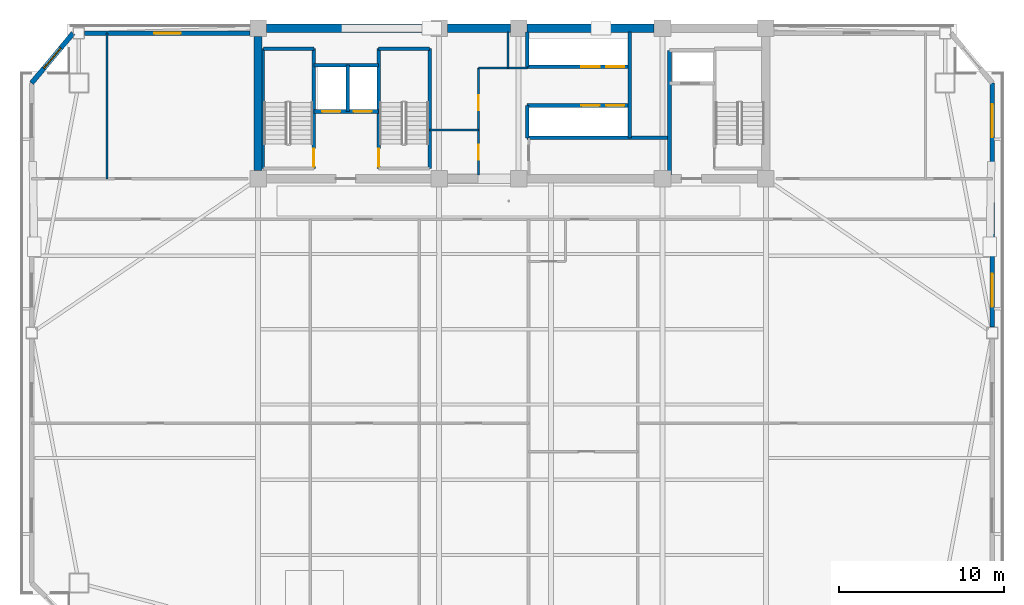
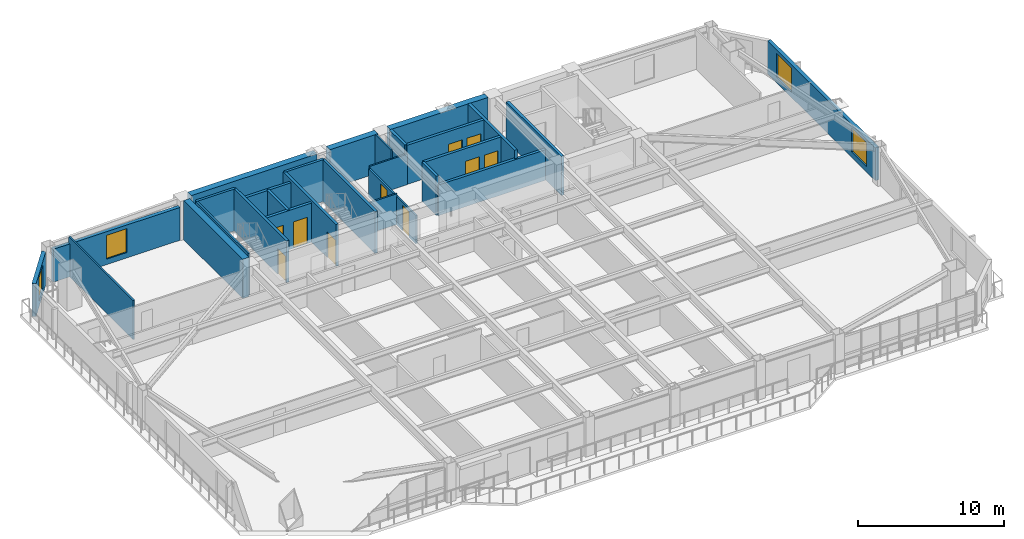
# One storey, part 9 of 15: 28 walls, 10 doors, 4 windows, 14 openings.
"""IFC4 building model written with IfcOpenShell, lengths in metres."""

from ifc_helpers import new_model, si_unit, direction, frame, frame_2d, origin, place, context, subcontext, project, spatial, rectangle, extrude, source, transform, mapped, material, layer, layer_set, type_object, element, fill, save


model = new_model("IFC4")

# Units and contexts
model_context = context("Model", 3, precision=1e-05, world=origin(), true_north=direction((0.0, 1.0)))
body_context = subcontext(model_context, "Body", "Model", "MODEL_VIEW")
ifc_project = project(units=[si_unit("LENGTHUNIT", "METRE"), si_unit("AREAUNIT", "SQUARE_METRE"), si_unit("VOLUMEUNIT", "CUBIC_METRE"), si_unit("PLANEANGLEUNIT", "RADIAN"), si_unit("MASSUNIT", "GRAM", prefix="KILO")], contexts=[model_context])

# Site, building, storey
site_placement = place(None, origin())
site = spatial("IfcSite", under=ifc_project, at=site_placement, CompositionType="ELEMENT")
building_placement = place(site_placement, origin())
building = spatial("IfcBuilding", under=site, at=building_placement, Name="Giltprow Tower", CompositionType="ELEMENT")
storey_placement = place(building_placement, frame((0.0, 0.0, 184.199951171875)))
storey = spatial("IfcBuildingStorey", under=building, at=storey_placement, Name="L46", CompositionType="ELEMENT", Elevation=184.199951171875)

# Wall, opening, window
ifc_material_1 = material(Name="Precast concrete C40", Category="concrete")
ifc_layer_1 = layer(ifc_material_1, 0.300048828125, Name="Precast concrete C40")
ifc_layer_set_1 = layer_set([ifc_layer_1], Name="Precast concrete C40")
wall_type_1 = type_object("IfcWallType", Name="EW-NOTCH-CHAMFER-300", PredefinedType="SOLIDWALL", material=ifc_layer_set_1)
wall_1_placement = place(storey_placement, frame((8.6650390625, 46.25, 0.0), z_axis=(0.0, 0.0, 1.0), x_axis=(-0.640459985381, -0.767991541051, 0.0)))
wall_1 = element("IfcWall", 1, at=wall_1_placement, inside=storey, type_object=wall_type_1, Name="L46 Corner Notch Wall NW", PredefinedType="SOLIDWALL", context=body_context, shape_type="SweptSolid", body=[
    extrude(rectangle(XDim=3.920654296875, YDim=0.300048828125, at=frame_2d((1.96044921875, 0.0))), origin(), (0.0, 0.0, 1.0), 2.75),
])
opening_1_placement = place(wall_1_placement, frame((1.159912109375, 0.0, 0.449951171875)))
opening_1 = element("IfcOpeningElement", 2, at=opening_1_placement, cuts=wall_1, Name="Opening WN17", PredefinedType="OPENING", context=body_context, shape_type="SweptSolid", body=[
    extrude(rectangle(XDim=1.60009765625, YDim=2.0, at=frame_2d((0.800048828125, 1.0))), frame((0.0, 0.159912109375, 0.0), z_axis=(0.0, -1.0, 0.0), x_axis=(1.0, 0.0, 0.0)), (0.0, 0.0, 1.0), 0.320068359375),
])
ifc_material_2 = material(Name="Insulated glass", Category="glass")
window_type_1 = type_object("IfcWindowType", Name="WN-COR-1600x2000", PartitioningType="SINGLE_PANEL", PredefinedType="WINDOW", material=ifc_material_2)
shared_shape_1 = source(origin(), body_context, "Body", "SweptSolid", [
    extrude(rectangle(XDim=1.60009765625, YDim=2.0, at=frame_2d((0.800048828125, 1.0))), frame((0.0, 0.030029296875, 0.0), z_axis=(0.0, -1.0, 0.0), x_axis=(1.0, 0.0, 0.0)), (0.0, 0.0, 1.0), 0.06005859375),
])
window_1_placement = place(opening_1_placement, origin())
window_1 = element("IfcWindow", 3, at=window_1_placement, inside=storey, type_object=window_type_1, Name="L46 Corner Notch Window NW", OverallHeight=2.0, OverallWidth=1.60009765625, PartitioningType="SINGLE_PANEL", PredefinedType="WINDOW", context=body_context, shape_type="MappedRepresentation", body=[
    mapped(shared_shape_1, transform((0.0, 0.0, 0.0), x_axis=(1.0, 0.0, 0.0), y_axis=(0.0, 1.0, 0.0), z_axis=(0.0, 0.0, 1.0), scale=1.0)),
])
fill(opening_1, window_1)

# Wall, openings, windows
ifc_layer_2 = layer(ifc_material_1, 0.280029296875, Name="Precast concrete C40")
ifc_layer_set_2 = layer_set([ifc_layer_2], Name="Precast concrete C40")
wall_type_2 = type_object("IfcWallType", Name="EW-TOW-BRONZE-280", PredefinedType="SOLIDWALL", material=ifc_layer_set_2)
wall_2_placement = place(storey_placement, frame((64.2470703125, 28.47705078125, 0.0), z_axis=(0.0, 0.0, 1.0), x_axis=(0.0, 1.0, 0.0)))
wall_2 = element("IfcWall", 4, at=wall_2_placement, inside=storey, type_object=wall_type_2, Name="L46 E Wing Masonry Wall 2", PredefinedType="SOLIDWALL", context=body_context, shape_type="SweptSolid", body=[
    extrude(rectangle(XDim=14.761962890625, YDim=0.280029296875, at=frame_2d((7.380859375, 0.0))), origin(), (0.0, 0.0, 1.0), 2.75),
])
opening_2_placement = place(wall_2_placement, frame((1.23193359375, 0.0, 0.449951171875)))
opening_2 = element("IfcOpeningElement", 5, at=opening_2_placement, cuts=wall_2, Name="Opening WN21", PredefinedType="OPENING", context=body_context, shape_type="SweptSolid", body=[
    extrude(rectangle(XDim=2.0, YDim=2.0, at=frame_2d((1.0, 1.0))), frame((0.0, 0.14990234375, 0.0), z_axis=(0.0, -1.0, 0.0), x_axis=(1.0, 0.0, 0.0)), (0.0, 0.0, 1.0), 0.300048828125),
])
opening_3_placement = place(wall_2_placement, frame((11.487060546875, 0.0, 0.449951171875)))
opening_3 = element("IfcOpeningElement", 6, at=opening_3_placement, cuts=wall_2, Name="Opening WN21", PredefinedType="OPENING", context=body_context, shape_type="SweptSolid", body=[
    extrude(rectangle(XDim=2.0, YDim=2.0, at=frame_2d((1.0, 1.0))), frame((0.0, 0.14990234375, 0.0), z_axis=(0.0, -1.0, 0.0), x_axis=(1.0, 0.0, 0.0)), (0.0, 0.0, 1.0), 0.300048828125),
])
window_type_2 = type_object("IfcWindowType", Name="WN-HTL-2000x2000", PartitioningType="DOUBLE_PANEL_VERTICAL", PredefinedType="WINDOW", material=ifc_material_2)
shared_shape_2 = source(origin(), body_context, "Body", "SweptSolid", [
    extrude(rectangle(XDim=2.0, YDim=2.0, at=frame_2d((1.0, 1.0))), frame((0.0, 0.030029296875, 0.0), z_axis=(0.0, -1.0, 0.0), x_axis=(1.0, 0.0, 0.0)), (0.0, 0.0, 1.0), 0.06005859375),
])
window_2_placement = place(opening_2_placement, origin())
window_2 = element("IfcWindow", 7, at=window_2_placement, inside=storey, type_object=window_type_2, Name="L46 E Wing Window 2-1", OverallHeight=2.0, OverallWidth=2.0, PartitioningType="SINGLE_PANEL", PredefinedType="WINDOW", context=body_context, shape_type="MappedRepresentation", body=[
    mapped(shared_shape_2, transform((0.0, 0.0, 0.0), x_axis=(1.0, 0.0, 0.0), y_axis=(0.0, 1.0, 0.0), z_axis=(0.0, 0.0, 1.0), scale=1.0)),
])
fill(opening_2, window_2)
window_3_placement = place(opening_3_placement, origin())
window_3 = element("IfcWindow", 8, at=window_3_placement, inside=storey, type_object=window_type_2, Name="L46 E Wing Window 2-2", OverallHeight=2.0, OverallWidth=2.0, PartitioningType="SINGLE_PANEL", PredefinedType="WINDOW", context=body_context, shape_type="MappedRepresentation", body=[
    mapped(shared_shape_2, transform((0.0, 0.0, 0.0), x_axis=(1.0, 0.0, 0.0), y_axis=(0.0, 1.0, 0.0), z_axis=(0.0, 0.0, 1.0), scale=1.0)),
])
fill(opening_3, window_3)

# Wall, opening, window
wall_3_placement = place(storey_placement, frame((9.364990234375, 46.25, 0.0), z_axis=(0.0, 0.0, 1.0), x_axis=(1.0, 0.0, 0.0)))
wall_3 = element("IfcWall", 9, at=wall_3_placement, inside=storey, type_object=wall_type_2, Name="L46 North-West Wing Wall", PredefinedType="SOLIDWALL", context=body_context, shape_type="SweptSolid", body=[
    extrude(rectangle(XDim=9.985107421875, YDim=0.280029296875, at=frame_2d((4.99267578125, 0.0))), origin(), (0.0, 0.0, 1.0), 2.75),
])
opening_4_placement = place(wall_3_placement, frame((4.193115234375, 0.0, 0.449951171875)))
opening_4 = element("IfcOpeningElement", 10, at=opening_4_placement, cuts=wall_3, Name="Opening WN17", PredefinedType="OPENING", context=body_context, shape_type="SweptSolid", body=[
    extrude(rectangle(XDim=1.60009765625, YDim=2.0, at=frame_2d((0.800048828125, 1.0))), frame((0.0, 0.14990234375, 0.0), z_axis=(0.0, -1.0, 0.0), x_axis=(1.0, 0.0, 0.0)), (0.0, 0.0, 1.0), 0.300048828125),
])
window_4_placement = place(opening_4_placement, origin())
window_4 = element("IfcWindow", 11, at=window_4_placement, inside=storey, type_object=window_type_1, Name="L46 North-West Window", OverallHeight=2.0, OverallWidth=1.60009765625, PartitioningType="SINGLE_PANEL", PredefinedType="WINDOW", context=body_context, shape_type="MappedRepresentation", body=[
    mapped(shared_shape_1, transform((0.0, 0.0, 0.0), x_axis=(1.0, 0.0, 0.0), y_axis=(0.0, 1.0, 0.0), z_axis=(0.0, 0.0, 1.0), scale=1.0)),
])
fill(opening_4, window_4)

# Wall, openings, doors
ifc_material_3 = material(Name="Concrete C40", Category="concrete")
ifc_layer_3 = layer(ifc_material_3, 0.219970703125, Name="Concrete C40")
ifc_layer_set_3 = layer_set([ifc_layer_3], Name="Concrete C40")
wall_type_3 = type_object("IfcWallType", Name="IW-SHAFT-220", PredefinedType="SOLIDWALL", material=ifc_layer_set_3)
wall_4_placement = place(storey_placement, frame((23.219970703125, 41.52001953125, 0.0), z_axis=(0.0, 0.0, 1.0), x_axis=(1.0, 0.0, 0.0)))
wall_4 = element("IfcWall", 12, at=wall_4_placement, inside=storey, type_object=wall_type_3, Name="L46 FFL1 and Service Lift Front Wall", PredefinedType="SOLIDWALL", context=body_context, shape_type="SweptSolid", body=[
    extrude(rectangle(XDim=3.919921875, YDim=0.219970703125, at=frame_2d((1.9599609375, 0.0))), origin(), (0.0, 0.0, 1.0), 3.27001953125),
])
opening_5_placement = place(wall_4_placement, frame((0.5, 0.0, 0.0)))
opening_5 = element("IfcOpeningElement", 13, at=opening_5_placement, cuts=wall_4, Name="Opening LD-11", PredefinedType="OPENING", context=body_context, shape_type="SweptSolid", body=[
    extrude(rectangle(XDim=1.10009765625, YDim=2.199951171875, at=frame_2d((0.550048828125, 1.10009765625))), frame((0.0, 0.119873046875, 0.0), z_axis=(0.0, -1.0, 0.0), x_axis=(1.0, 0.0, 0.0)), (0.0, 0.0, 1.0), 0.239990234375),
])
opening_6_placement = place(wall_4_placement, frame((2.39990234375, 0.0, 0.0)))
opening_6 = element("IfcOpeningElement", 14, at=opening_6_placement, cuts=wall_4, Name="Opening LD-11", PredefinedType="OPENING", context=body_context, shape_type="SweptSolid", body=[
    extrude(rectangle(XDim=1.10009765625, YDim=2.199951171875, at=frame_2d((0.550048828125, 1.10009765625))), frame((0.0, 0.119873046875, 0.0), z_axis=(0.0, -1.0, 0.0), x_axis=(1.0, 0.0, 0.0)), (0.0, 0.0, 1.0), 0.239990234375),
])
ifc_material_4 = material(Name="Stainless steel", Category="steel")
door_type_1 = type_object("IfcDoorType", Name="DR-LIFT-LD1100", OperationType="SLIDING_TO_LEFT", PredefinedType="DOOR", material=ifc_material_4)
shared_shape_3 = source(origin(), body_context, "Body", "SweptSolid", [
    extrude(rectangle(XDim=1.10009765625, YDim=2.199951171875, at=frame_2d((0.550048828125, 1.10009765625))), frame((0.0, 0.02490234375, 0.0), z_axis=(0.0, -1.0, 0.0), x_axis=(1.0, 0.0, 0.0)), (0.0, 0.0, 1.0), 0.050048828125),
])
door_1_placement = place(opening_5_placement, origin())
door_1 = element("IfcDoor", 15, at=door_1_placement, inside=storey, type_object=door_type_1, Name="L46 FFL1 Landing Door", OperationType="SLIDING_TO_LEFT", OverallHeight=2.199951171875, OverallWidth=1.10009765625, PredefinedType="DOOR", context=body_context, shape_type="MappedRepresentation", body=[
    mapped(shared_shape_3, transform((0.0, 0.0, 0.0), x_axis=(1.0, 0.0, 0.0), y_axis=(0.0, 1.0, 0.0), z_axis=(0.0, 0.0, 1.0), scale=1.0)),
])
fill(opening_5, door_1)
door_2_placement = place(opening_6_placement, origin())
door_2 = element("IfcDoor", 16, at=door_2_placement, inside=storey, type_object=door_type_1, Name="L46 SVL1 Landing Door", OperationType="SLIDING_TO_LEFT", OverallHeight=2.199951171875, OverallWidth=1.10009765625, PredefinedType="DOOR", context=body_context, shape_type="MappedRepresentation", body=[
    mapped(shared_shape_3, transform((0.0, 0.0, 0.0), x_axis=(1.0, 0.0, 0.0), y_axis=(0.0, 1.0, 0.0), z_axis=(0.0, 0.0, 1.0), scale=1.0)),
])
fill(opening_6, door_2)

# Walls
wall_5_placement = place(storey_placement, frame((25.260009765625, 41.52001953125, 0.0), z_axis=(0.0, 0.0, 1.0), x_axis=(0.0, 1.0, 0.0)))
element("IfcWall", 17, at=wall_5_placement, inside=storey, type_object=wall_type_3, Name="L46 FFL1-SVL1 Shaft Divider", PredefinedType="SOLIDWALL", context=body_context, shape_type="SweptSolid", body=[
    extrude(rectangle(XDim=2.800048828125, YDim=0.219970703125, at=frame_2d((1.39990234375, 0.0))), origin(), (0.0, 0.0, 1.0), 3.27001953125),
])
wall_6_placement = place(storey_placement, frame((23.219970703125, 44.320068359375, 0.0), z_axis=(0.0, 0.0, 1.0), x_axis=(1.0, 0.0, 0.0)))
element("IfcWall", 18, at=wall_6_placement, inside=storey, type_object=wall_type_3, Name="L46 FFL1-SVL1 Back Shaft Wall", PredefinedType="SOLIDWALL", context=body_context, shape_type="SweptSolid", body=[
    extrude(rectangle(XDim=3.919921875, YDim=0.219970703125, at=frame_2d((1.9599609375, 0.0))), origin(), (0.0, 0.0, 1.0), 3.27001953125),
])
wall_7_placement = place(storey_placement, frame((44.719970703125, 37.679931640625, 0.0), z_axis=(0.0, 0.0, 1.0), x_axis=(0.0, 1.0, 0.0)))
element("IfcWall", 19, at=wall_7_placement, inside=storey, type_object=wall_type_3, Name="L46 East Firefighting Lobby West Wall", PredefinedType="SOLIDWALL", context=body_context, shape_type="SweptSolid", body=[
    extrude(rectangle(XDim=7.5400390625, YDim=0.219970703125, at=frame_2d((3.77001953125, 0.0))), origin(), (0.0, 0.0, 1.0), 3.27001953125),
])

# Wall, openings, doors
wall_8_placement = place(storey_placement, frame((36.1201171875, 44.219970703125, 0.0), z_axis=(0.0, 0.0, 1.0), x_axis=(1.0, 0.0, 0.0)))
wall_8 = element("IfcWall", 20, at=wall_8_placement, inside=storey, type_object=wall_type_3, Name="L46 Mid-Rise Lift Shaft Front Wall N", PredefinedType="SOLIDWALL", context=body_context, shape_type="SweptSolid", body=[
    extrude(rectangle(XDim=6.199951171875, YDim=0.219970703125, at=frame_2d((3.10009765625, 0.0))), origin(), (0.0, 0.0, 1.0), 3.27001953125),
])
opening_7_placement = place(wall_8_placement, frame((3.280029296875, 0.0, 0.0)))
opening_7 = element("IfcOpeningElement", 21, at=opening_7_placement, cuts=wall_8, Name="Opening LD-11", PredefinedType="OPENING", context=body_context, shape_type="SweptSolid", body=[
    extrude(rectangle(XDim=1.10009765625, YDim=2.199951171875, at=frame_2d((0.550048828125, 1.10009765625))), frame((0.0, 0.119873046875, 0.0), z_axis=(0.0, -1.0, 0.0), x_axis=(1.0, 0.0, 0.0)), (0.0, 0.0, 1.0), 0.239990234375),
])
opening_8_placement = place(wall_8_placement, frame((4.77001953125, 0.0, 0.0)))
opening_8 = element("IfcOpeningElement", 22, at=opening_8_placement, cuts=wall_8, Name="Opening LD-11", PredefinedType="OPENING", context=body_context, shape_type="SweptSolid", body=[
    extrude(rectangle(XDim=1.10009765625, YDim=2.199951171875, at=frame_2d((0.550048828125, 1.10009765625))), frame((0.0, 0.119873046875, 0.0), z_axis=(0.0, -1.0, 0.0), x_axis=(1.0, 0.0, 0.0)), (0.0, 0.0, 1.0), 0.239990234375),
])
door_3_placement = place(opening_7_placement, origin())
door_3 = element("IfcDoor", 23, at=door_3_placement, inside=storey, type_object=door_type_1, Name="L46 PL-M1 Landing Door", OperationType="SLIDING_TO_LEFT", OverallHeight=2.199951171875, OverallWidth=1.10009765625, PredefinedType="DOOR", context=body_context, shape_type="MappedRepresentation", body=[
    mapped(shared_shape_3, transform((0.0, 0.0, 0.0), x_axis=(1.0, 0.0, 0.0), y_axis=(0.0, 1.0, 0.0), z_axis=(0.0, 0.0, 1.0), scale=1.0)),
])
fill(opening_7, door_3)
door_4_placement = place(opening_8_placement, origin())
door_4 = element("IfcDoor", 24, at=door_4_placement, inside=storey, type_object=door_type_1, Name="L46 PL-M2 Landing Door", OperationType="SLIDING_TO_LEFT", OverallHeight=2.199951171875, OverallWidth=1.10009765625, PredefinedType="DOOR", context=body_context, shape_type="MappedRepresentation", body=[
    mapped(shared_shape_3, transform((0.0, 0.0, 0.0), x_axis=(1.0, 0.0, 0.0), y_axis=(0.0, 1.0, 0.0), z_axis=(0.0, 0.0, 1.0), scale=1.0)),
])
fill(opening_8, door_4)

wall_9_placement = place(storey_placement, frame((36.1201171875, 41.8798828125, 0.0), z_axis=(0.0, 0.0, 1.0), x_axis=(1.0, 0.0, 0.0)))
wall_9 = element("IfcWall", 25, at=wall_9_placement, inside=storey, type_object=wall_type_3, Name="L46 Mid-Rise Lift Shaft Front Wall S", PredefinedType="SOLIDWALL", context=body_context, shape_type="SweptSolid", body=[
    extrude(rectangle(XDim=6.199951171875, YDim=0.219970703125, at=frame_2d((3.10009765625, 0.0))), origin(), (0.0, 0.0, 1.0), 3.27001953125),
])
opening_9_placement = place(wall_9_placement, frame((3.280029296875, 0.0, 0.0)))
opening_9 = element("IfcOpeningElement", 26, at=opening_9_placement, cuts=wall_9, Name="Opening LD-11", PredefinedType="OPENING", context=body_context, shape_type="SweptSolid", body=[
    extrude(rectangle(XDim=1.10009765625, YDim=2.199951171875, at=frame_2d((0.550048828125, 1.10009765625))), frame((0.0, 0.119873046875, 0.0), z_axis=(0.0, -1.0, 0.0), x_axis=(1.0, 0.0, 0.0)), (0.0, 0.0, 1.0), 0.239990234375),
])
opening_10_placement = place(wall_9_placement, frame((4.77001953125, 0.0, 0.0)))
opening_10 = element("IfcOpeningElement", 27, at=opening_10_placement, cuts=wall_9, Name="Opening LD-11", PredefinedType="OPENING", context=body_context, shape_type="SweptSolid", body=[
    extrude(rectangle(XDim=1.10009765625, YDim=2.199951171875, at=frame_2d((0.550048828125, 1.10009765625))), frame((0.0, 0.119873046875, 0.0), z_axis=(0.0, -1.0, 0.0), x_axis=(1.0, 0.0, 0.0)), (0.0, 0.0, 1.0), 0.239990234375),
])
door_5_placement = place(opening_9_placement, origin())
door_5 = element("IfcDoor", 28, at=door_5_placement, inside=storey, type_object=door_type_1, Name="L46 PL-M3 Landing Door", OperationType="SLIDING_TO_LEFT", OverallHeight=2.199951171875, OverallWidth=1.10009765625, PredefinedType="DOOR", context=body_context, shape_type="MappedRepresentation", body=[
    mapped(shared_shape_3, transform((0.0, 0.0, 0.0), x_axis=(1.0, 0.0, 0.0), y_axis=(0.0, 1.0, 0.0), z_axis=(0.0, 0.0, 1.0), scale=1.0)),
])
fill(opening_9, door_5)
door_6_placement = place(opening_10_placement, origin())
door_6 = element("IfcDoor", 29, at=door_6_placement, inside=storey, type_object=door_type_1, Name="L46 PL-M4 Landing Door", OperationType="SLIDING_TO_LEFT", OverallHeight=2.199951171875, OverallWidth=1.10009765625, PredefinedType="DOOR", context=body_context, shape_type="MappedRepresentation", body=[
    mapped(shared_shape_3, transform((0.0, 0.0, 0.0), x_axis=(1.0, 0.0, 0.0), y_axis=(0.0, 1.0, 0.0), z_axis=(0.0, 0.0, 1.0), scale=1.0)),
])
fill(opening_10, door_6)

# Walls
wall_10_placement = place(storey_placement, frame((36.1201171875, 39.919921875, 0.0), z_axis=(0.0, 0.0, 1.0), x_axis=(1.0, 0.0, 0.0)))
element("IfcWall", 30, at=wall_10_placement, inside=storey, type_object=wall_type_3, Name="L46 Mid-Rise South Lift Back Wall", PredefinedType="SOLIDWALL", context=body_context, shape_type="SweptSolid", body=[
    extrude(rectangle(XDim=8.599853515625, YDim=0.219970703125, at=frame_2d((4.2998046875, 0.0))), origin(), (0.0, 0.0, 1.0), 2.554931640625),
])
wall_11_placement = place(storey_placement, frame((42.320068359375, 39.919921875, 0.0), z_axis=(0.0, 0.0, 1.0), x_axis=(0.0, 1.0, 0.0)))
element("IfcWall", 31, at=wall_11_placement, inside=storey, type_object=wall_type_3, Name="L46 Mid-Rise Lift Bank East Closure", PredefinedType="SOLIDWALL", context=body_context, shape_type="SweptSolid", body=[
    extrude(rectangle(XDim=6.400146484375, YDim=0.219970703125, at=frame_2d((3.2001953125, 0.0))), origin(), (0.0, 0.0, 1.0), 3.27001953125),
])
wall_12_placement = place(storey_placement, frame((36.1201171875, 39.919921875, 0.0), z_axis=(0.0, 0.0, 1.0), x_axis=(0.0, 1.0, 0.0)))
element("IfcWall", 32, at=wall_12_placement, inside=storey, type_object=wall_type_3, Name="L46 Mid-Rise South Lift West Closure", PredefinedType="SOLIDWALL", context=body_context, shape_type="SweptSolid", body=[
    extrude(rectangle(XDim=1.9599609375, YDim=0.219970703125, at=frame_2d((0.97998046875, 0.0))), origin(), (0.0, 0.0, 1.0), 3.27001953125),
])
wall_13_placement = place(storey_placement, frame((36.1201171875, 44.219970703125, 0.0), z_axis=(0.0, 0.0, 1.0), x_axis=(0.0, 1.0, 0.0)))
element("IfcWall", 33, at=wall_13_placement, inside=storey, type_object=wall_type_3, Name="L46 Mid-Rise North Lift West Closure", PredefinedType="SOLIDWALL", context=body_context, shape_type="SweptSolid", body=[
    extrude(rectangle(XDim=2.10009765625, YDim=0.219970703125, at=frame_2d((1.050048828125, 0.0))), origin(), (0.0, 0.0, 1.0), 3.27001953125),
])
ifc_material_5 = material(Name="Concrete C45", Category="concrete")
ifc_layer_4 = layer(ifc_material_5, 0.139892578125, Name="Concrete C45")
ifc_layer_set_4 = layer_set([ifc_layer_4], Name="Concrete C45")
wall_type_4 = type_object("IfcWallType", Name="IW-STAIR-140", PredefinedType="SOLIDWALL", material=ifc_layer_set_4)
wall_14_placement = place(storey_placement, frame((20.169921875, 38.070068359375, 0.0), z_axis=(0.0, 0.0, 1.0), x_axis=(0.0, 1.0, 0.0)))
element("IfcWall", 34, at=wall_14_placement, inside=storey, type_object=wall_type_4, Name="L46 Stair ST-1 West Bearing Wall", PredefinedType="SOLIDWALL", context=body_context, shape_type="SweptSolid", body=[
    extrude(rectangle(XDim=7.25, YDim=0.139892578125, at=frame_2d((3.625, 0.0))), origin(), (0.0, 0.0, 1.0), 3.5),
])

# Wall, opening, door
ifc_layer_5 = layer(ifc_material_3, 0.199951171875, Name="Concrete C40")
ifc_layer_set_5 = layer_set([ifc_layer_5], Name="Concrete C40")
wall_type_5 = type_object("IfcWallType", Name="IW-STAIR-200", PredefinedType="SOLIDWALL", material=ifc_layer_set_5)
wall_15_placement = place(storey_placement, frame((23.219970703125, 38.070068359375, 0.0), z_axis=(0.0, 0.0, 1.0), x_axis=(0.0, 1.0, 0.0)))
wall_15 = element("IfcWall", 35, at=wall_15_placement, inside=storey, type_object=wall_type_5, Name="L46 Stair ST-1 East Bearing Wall", PredefinedType="SOLIDWALL", context=body_context, shape_type="SweptSolid", body=[
    extrude(rectangle(XDim=7.25, YDim=0.199951171875, at=frame_2d((3.625, 0.0))), origin(), (0.0, 0.0, 1.0), 3.5),
])
opening_11_placement = place(wall_15_placement, frame((0.110107421875, 0.0, 0.0)))
opening_11 = element("IfcOpeningElement", 36, at=opening_11_placement, cuts=wall_15, Name="Opening ID33", PredefinedType="OPENING", context=body_context, shape_type="SweptSolid", body=[
    extrude(rectangle(XDim=1.10009765625, YDim=2.14990234375, at=frame_2d((0.550048828125, 1.074951171875))), frame((0.0, 0.10986328125, 0.0), z_axis=(0.0, -1.0, 0.0), x_axis=(1.0, 0.0, 0.0)), (0.0, 0.0, 1.0), 0.219970703125),
])
ifc_material_6 = material(Name="Steel fire leaf", Category="steel")
door_type_2 = type_object("IfcDoorType", Name="DR-STAIR-1100", OperationType="SINGLE_SWING_LEFT", PredefinedType="DOOR", material=ifc_material_6)
shared_shape_4 = source(origin(), body_context, "Body", "SweptSolid", [
    extrude(rectangle(XDim=1.10009765625, YDim=2.14990234375, at=frame_2d((0.550048828125, 1.074951171875))), frame((0.0, 0.02490234375, 0.0), z_axis=(0.0, -1.0, 0.0), x_axis=(1.0, 0.0, 0.0)), (0.0, 0.0, 1.0), 0.050048828125),
])
door_7_placement = place(opening_11_placement, origin())
door_7 = element("IfcDoor", 37, at=door_7_placement, inside=storey, type_object=door_type_2, Name="L46 Stair ST-1 Fire Door", OperationType="SINGLE_SWING_LEFT", OverallHeight=2.14990234375, OverallWidth=1.10009765625, PredefinedType="DOOR", context=body_context, shape_type="MappedRepresentation", body=[
    mapped(shared_shape_4, transform((0.0, 0.0, 0.0), x_axis=(1.0, 0.0, 0.0), y_axis=(0.0, 1.0, 0.0), z_axis=(0.0, 0.0, 1.0), scale=1.0)),
])
fill(opening_11, door_7)

# Wall
wall_16_placement = place(storey_placement, frame((20.169921875, 45.320068359375, 0.0), z_axis=(0.0, 0.0, 1.0), x_axis=(1.0, 0.0, 0.0)))
element("IfcWall", 38, at=wall_16_placement, inside=storey, type_object=wall_type_5, Name="L46 Stair ST-1 North Bearing Wall", PredefinedType="SOLIDWALL", context=body_context, shape_type="SweptSolid", body=[
    extrude(rectangle(XDim=3.050048828125, YDim=0.199951171875, at=frame_2d((1.52490234375, 0.0))), origin(), (0.0, 0.0, 1.0), 3.5),
])

# Wall, opening, door
wall_17_placement = place(storey_placement, frame((27.139892578125, 38.070068359375, 0.0), z_axis=(0.0, 0.0, 1.0), x_axis=(0.0, 1.0, 0.0)))
wall_17 = element("IfcWall", 39, at=wall_17_placement, inside=storey, type_object=wall_type_5, Name="L46 Stair ST-2 West Bearing Wall", PredefinedType="SOLIDWALL", context=body_context, shape_type="SweptSolid", body=[
    extrude(rectangle(XDim=7.25, YDim=0.199951171875, at=frame_2d((3.625, 0.0))), origin(), (0.0, 0.0, 1.0), 3.5),
])
opening_12_placement = place(wall_17_placement, frame((0.110107421875, 0.0, 0.0)))
opening_12 = element("IfcOpeningElement", 40, at=opening_12_placement, cuts=wall_17, Name="Opening ID33", PredefinedType="OPENING", context=body_context, shape_type="SweptSolid", body=[
    extrude(rectangle(XDim=1.10009765625, YDim=2.14990234375, at=frame_2d((0.550048828125, 1.074951171875))), frame((0.0, 0.10986328125, 0.0), z_axis=(0.0, -1.0, 0.0), x_axis=(1.0, 0.0, 0.0)), (0.0, 0.0, 1.0), 0.219970703125),
])
door_8_placement = place(opening_12_placement, origin())
door_8 = element("IfcDoor", 41, at=door_8_placement, inside=storey, type_object=door_type_2, Name="L46 Stair ST-2 Fire Door", OperationType="SINGLE_SWING_RIGHT", OverallHeight=2.14990234375, OverallWidth=1.10009765625, PredefinedType="DOOR", context=body_context, shape_type="MappedRepresentation", body=[
    mapped(shared_shape_4, transform((0.0, 0.0, 0.0), x_axis=(1.0, 0.0, 0.0), y_axis=(0.0, 1.0, 0.0), z_axis=(0.0, 0.0, 1.0), scale=1.0)),
])
fill(opening_12, door_8)

# Walls
wall_18_placement = place(storey_placement, frame((30.219970703125, 38.070068359375, 0.0), z_axis=(0.0, 0.0, 1.0), x_axis=(0.0, 1.0, 0.0)))
element("IfcWall", 42, at=wall_18_placement, inside=storey, type_object=wall_type_5, Name="L46 Stair ST-2 East Bearing Wall", PredefinedType="SOLIDWALL", context=body_context, shape_type="SweptSolid", body=[
    extrude(rectangle(XDim=7.25, YDim=0.199951171875, at=frame_2d((3.625, 0.0))), origin(), (0.0, 0.0, 1.0), 3.5),
])
wall_19_placement = place(storey_placement, frame((27.139892578125, 45.320068359375, 0.0), z_axis=(0.0, 0.0, 1.0), x_axis=(1.0, 0.0, 0.0)))
element("IfcWall", 43, at=wall_19_placement, inside=storey, type_object=wall_type_5, Name="L46 Stair ST-2 North Bearing Wall", PredefinedType="SOLIDWALL", context=body_context, shape_type="SweptSolid", body=[
    extrude(rectangle(XDim=3.080078125, YDim=0.199951171875, at=frame_2d((1.5400390625, 0.0))), origin(), (0.0, 0.0, 1.0), 3.5),
])

# Wall, openings, doors
ifc_material_7 = material(Name="Concrete C30", Category="concrete")
ifc_layer_6 = layer(ifc_material_7, 0.1298828125, Name="Concrete C30")
ifc_layer_set_6 = layer_set([ifc_layer_6], Name="Concrete C30")
wall_type_6 = type_object("IfcWallType", Name="IW-WET-130", PredefinedType="PARTITIONING", material=ifc_layer_set_6)
wall_20_placement = place(storey_placement, frame((33.179931640625, 37.679931640625, 0.0), z_axis=(0.0, 0.0, 1.0), x_axis=(0.0, 1.0, 0.0)))
wall_20 = element("IfcWall", 44, at=wall_20_placement, inside=storey, type_object=wall_type_6, Name="L46 Reclaimed Core Room East Wall", PredefinedType="PARTITIONING", context=body_context, shape_type="SweptSolid", body=[
    extrude(rectangle(XDim=6.469970703125, YDim=0.1298828125, at=frame_2d((3.23486328125, 0.0))), origin(), (0.0, 0.0, 1.0), 2.35498046875),
])
opening_13_placement = place(wall_20_placement, frame((0.919921875, 0.0, 0.0)))
opening_13 = element("IfcOpeningElement", 45, at=opening_13_placement, cuts=wall_20, Name="Opening ID35", PredefinedType="OPENING", context=body_context, shape_type="SweptSolid", body=[
    extrude(rectangle(XDim=0.89990234375, YDim=2.10009765625, at=frame_2d((0.449951171875, 1.050048828125))), frame((0.0, 0.074951171875, 0.0), z_axis=(0.0, -1.0, 0.0), x_axis=(1.0, 0.0, 0.0)), (0.0, 0.0, 1.0), 0.14990234375),
])
opening_14_placement = place(wall_20_placement, frame((3.919921875, 0.0, 0.0)))
opening_14 = element("IfcOpeningElement", 46, at=opening_14_placement, cuts=wall_20, Name="Opening ID35", PredefinedType="OPENING", context=body_context, shape_type="SweptSolid", body=[
    extrude(rectangle(XDim=0.89990234375, YDim=2.10009765625, at=frame_2d((0.449951171875, 1.050048828125))), frame((0.0, 0.074951171875, 0.0), z_axis=(0.0, -1.0, 0.0), x_axis=(1.0, 0.0, 0.0)), (0.0, 0.0, 1.0), 0.14990234375),
])
door_type_3 = type_object("IfcDoorType", Name="DR-SHAFT-900", OperationType="SINGLE_SWING_LEFT", PredefinedType="DOOR", material=ifc_material_6)
shared_shape_5 = source(origin(), body_context, "Body", "SweptSolid", [
    extrude(rectangle(XDim=0.89990234375, YDim=2.10009765625, at=frame_2d((0.449951171875, 1.050048828125))), frame((0.0, 0.02490234375, 0.0), z_axis=(0.0, -1.0, 0.0), x_axis=(1.0, 0.0, 0.0)), (0.0, 0.0, 1.0), 0.050048828125),
])
door_9_placement = place(opening_13_placement, origin())
door_9 = element("IfcDoor", 47, at=door_9_placement, inside=storey, type_object=door_type_3, Name="L46 Core Accessible WC Door", OperationType="SINGLE_SWING_RIGHT", OverallHeight=2.10009765625, OverallWidth=0.89990234375, PredefinedType="DOOR", context=body_context, shape_type="MappedRepresentation", body=[
    mapped(shared_shape_5, transform((0.0, 0.0, 0.0), x_axis=(1.0, 0.0, 0.0), y_axis=(0.0, 1.0, 0.0), z_axis=(0.0, 0.0, 1.0), scale=1.0)),
])
fill(opening_13, door_9)
door_10_placement = place(opening_14_placement, origin())
door_10 = element("IfcDoor", 48, at=door_10_placement, inside=storey, type_object=door_type_3, Name="L46 Housekeeping Room Door", OperationType="SINGLE_SWING_LEFT", OverallHeight=2.10009765625, OverallWidth=0.89990234375, PredefinedType="DOOR", context=body_context, shape_type="MappedRepresentation", body=[
    mapped(shared_shape_5, transform((0.0, 0.0, 0.0), x_axis=(1.0, 0.0, 0.0), y_axis=(0.0, 1.0, 0.0), z_axis=(0.0, 0.0, 1.0), scale=1.0)),
])
fill(opening_14, door_10)

# Walls
wall_21_placement = place(storey_placement, frame((34.949951171875, 44.14990234375, 0.0), z_axis=(0.0, 0.0, 1.0), x_axis=(0.0, 1.0, 0.0)))
element("IfcWall", 49, at=wall_21_placement, inside=storey, type_object=wall_type_6, Name="L46 Reclaimed North Pocket East Wall", PredefinedType="PARTITIONING", context=body_context, shape_type="SweptSolid", body=[
    extrude(rectangle(XDim=2.170166015625, YDim=0.1298828125, at=frame_2d((1.0849609375, 0.0))), origin(), (0.0, 0.0, 1.0), 3.27001953125),
])
wall_22_placement = place(storey_placement, frame((33.179931640625, 44.14990234375, 0.0), z_axis=(0.0, 0.0, 1.0), x_axis=(1.0, 0.0, 0.0)))
element("IfcWall", 50, at=wall_22_placement, inside=storey, type_object=wall_type_6, Name="L46 Reclaimed North Pocket South Wall", PredefinedType="PARTITIONING", context=body_context, shape_type="SweptSolid", body=[
    extrude(rectangle(XDim=2.969970703125, YDim=0.1298828125, at=frame_2d((1.48486328125, 0.0))), origin(), (0.0, 0.0, 1.0), 2.554931640625),
])
wall_23_placement = place(storey_placement, frame((30.219970703125, 40.39990234375, 0.0), z_axis=(0.0, 0.0, 1.0), x_axis=(1.0, 0.0, 0.0)))
element("IfcWall", 51, at=wall_23_placement, inside=storey, type_object=wall_type_6, Name="L46 Core Housekeeping Split 2", PredefinedType="PARTITIONING", context=body_context, shape_type="SweptSolid", body=[
    extrude(rectangle(XDim=2.9599609375, YDim=0.1298828125, at=frame_2d((1.47998046875, 0.0))), origin(), (0.0, 0.0, 1.0), 2.554931640625),
])
wall_24_placement = place(storey_placement, frame((10.705078125, 37.449951171875, 0.0), z_axis=(0.0, 0.0, 1.0), x_axis=(0.0, 1.0, 0.0)))
element("IfcWall", 52, at=wall_24_placement, inside=storey, type_object=wall_type_6, Name="L46 NW Wing Divider", PredefinedType="PARTITIONING", context=body_context, shape_type="SweptSolid", body=[
    extrude(rectangle(XDim=8.800048828125, YDim=0.1298828125, at=frame_2d((4.39990234375, 0.0))), origin(), (0.0, 0.0, 1.0), 3.27001953125),
])
ifc_material_8 = material(Name="Concrete C50", Category="concrete")
ifc_layer_7 = layer(ifc_material_8, 0.5, Name="Concrete C50")
ifc_layer_set_7 = layer_set([ifc_layer_7], Name="Concrete C50")
wall_type_7 = type_object("IfcWallType", Name="SW-EXT-500-C50", PredefinedType="SHEAR", material=ifc_layer_set_7)
wall_25_placement = place(storey_placement, frame((20.35009765625, 46.550048828125, 0.0), z_axis=(0.0, 0.0, 1.0), x_axis=(1.0, 0.0, 0.0)))
element("IfcWall", 53, at=wall_25_placement, inside=storey, type_object=wall_type_7, Name="L46 North Rear Core Shear Wall 1", PredefinedType="SHEAR", context=body_context, shape_type="SweptSolid", body=[
    extrude(rectangle(XDim=9.949951171875, YDim=0.5, at=frame_2d((4.97509765625, 0.0))), origin(), (0.0, 0.0, 1.0), 3.27001953125),
])
wall_26_placement = place(storey_placement, frame((31.300048828125, 46.550048828125, 0.0), z_axis=(0.0, 0.0, 1.0), x_axis=(1.0, 0.0, 0.0)))
element("IfcWall", 54, at=wall_26_placement, inside=storey, type_object=wall_type_7, Name="L46 North Rear Core Shear Wall 2", PredefinedType="SHEAR", context=body_context, shape_type="SweptSolid", body=[
    extrude(rectangle(XDim=3.800048828125, YDim=0.5, at=frame_2d((1.89990234375, 0.0))), origin(), (0.0, 0.0, 1.0), 3.27001953125),
])
wall_27_placement = place(storey_placement, frame((36.10009765625, 46.550048828125, 0.0), z_axis=(0.0, 0.0, 1.0), x_axis=(1.0, 0.0, 0.0)))
element("IfcWall", 55, at=wall_27_placement, inside=storey, type_object=wall_type_7, Name="L46 North Rear Core Shear Wall 3", PredefinedType="SHEAR", context=body_context, shape_type="SweptSolid", body=[
    extrude(rectangle(XDim=7.699951171875, YDim=0.5, at=frame_2d((3.85009765625, 0.0))), origin(), (0.0, 0.0, 1.0), 3.27001953125),
])
ifc_layer_8 = layer(ifc_material_8, 0.5, Name="Concrete C50")
ifc_layer_set_8 = layer_set([ifc_layer_8], Name="Concrete C50")
wall_type_8 = type_object("IfcWallType", Name="SW-INT-500-C50", PredefinedType="SHEAR", material=ifc_layer_set_8)
wall_28_placement = place(storey_placement, frame((19.85009765625, 37.949951171875, 0.0), z_axis=(0.0, 0.0, 1.0), x_axis=(0.0, 1.0, 0.0)))
element("IfcWall", 56, at=wall_28_placement, inside=storey, type_object=wall_type_8, Name="L46 W Rear Core Shear Wall", PredefinedType="SHEAR", context=body_context, shape_type="SweptSolid", body=[
    extrude(rectangle(XDim=8.10009765625, YDim=0.5, at=frame_2d((4.050048828125, 0.0))), origin(), (0.0, 0.0, 1.0), 3.27001953125),
])

save(model, "model.ifc")
